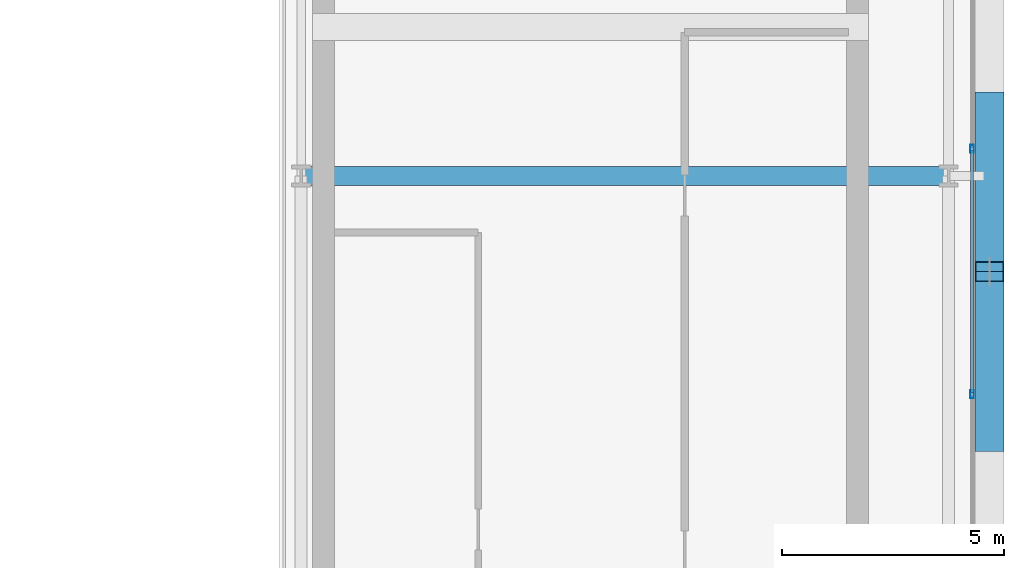
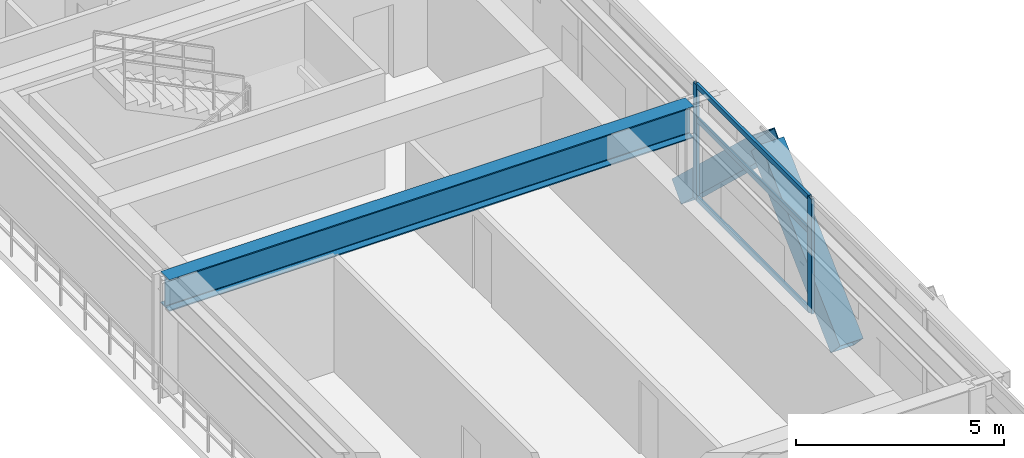
# One storey, part 13 of 31: 7 members, 1 beam, 1 element without a shape of its own.
"""IFC4 building model written with IfcOpenShell, lengths in metres."""

from ifc_helpers import new_model, si_unit, direction, frame, origin, origin_2d, place, context, subcontext, project, spatial, hollow_rectangle, i_section, extrude, source, transform, mapped, material, layer, layer_set, material_profile, profile_set, type_object, element, aggregate, save


model = new_model("IFC4")

# Units and contexts
model_context = context("Model", 3, precision=1e-05, world=origin(), true_north=direction((0.0, 1.0)))
body_context = subcontext(model_context, "Body", "Model", "MODEL_VIEW")
ifc_project = project(units=[si_unit("LENGTHUNIT", "METRE"), si_unit("AREAUNIT", "SQUARE_METRE"), si_unit("VOLUMEUNIT", "CUBIC_METRE"), si_unit("PLANEANGLEUNIT", "RADIAN"), si_unit("MASSUNIT", "GRAM", prefix="KILO")], contexts=[model_context])

# Site, building, storey
site_placement = place(None, origin())
site = spatial("IfcSite", under=ifc_project, at=site_placement, CompositionType="ELEMENT")
building_placement = place(site_placement, origin())
building = spatial("IfcBuilding", under=site, at=building_placement, Name="Ocotamira Hotel", CompositionType="ELEMENT")
storey_placement = place(building_placement, frame((0.0, 0.0, 202.800048828125)))
storey = spatial("IfcBuildingStorey", under=building, at=storey_placement, Name="L51", CompositionType="ELEMENT", Elevation=202.800048828125)

# Beam
ifc_material_1 = material(Name="Steel ASTM A992 Grade 50", Category="steel")
ifc_material_profile_1 = material_profile(ifc_material_1, i_section(OverallWidth=0.41796875, OverallDepth=0.927001953125, WebThickness=0.019287109375, FlangeThickness=0.031982421875, FilletRadius=0.02392578125, at=origin_2d()), Name="W36X231")
ifc_profile_set_1 = profile_set([ifc_material_profile_1], Name="Steel ASTM A992 Grade 50")
beam_type = type_object("IfcBeamType", Name="BM-GIRD-W36X231", PredefinedType="BEAM", material=ifc_profile_set_1)
shared_shape_1 = source(origin(), body_context, "Body", "SweptSolid", [
    extrude(i_section(OverallWidth=0.41796875, OverallDepth=0.927001953125, WebThickness=0.019287109375, FlangeThickness=0.031982421875, FilletRadius=0.02392578125, at=origin_2d()), origin(), (0.0, 0.0, 1.0), 14.550048828125),
])
beam_placement = place(storey_placement, frame((40.5, 28.14990234375, 2.906494140625), z_axis=(1.0, 0.0, 0.0), x_axis=(0.0, 1.0, 0.0)))
element("IfcBeam", 1, at=beam_placement, inside=storey, type_object=beam_type, Name="L51 Girder Y28.15 X40.5-55.05", PredefinedType="BEAM", context=body_context, shape_type="MappedRepresentation", body=[
    mapped(shared_shape_1, transform((0.0, 0.0, 0.0), scale=1.0)),
])

# Members
ifc_material_2 = material(Name="Pale-metal coated steel ASTM A913 Grade 65", Category="steel")
ifc_material_profile_2 = material_profile(ifc_material_2, hollow_rectangle(XDim=0.64990234375, YDim=0.64990234375, WallThickness=0.02197265625, at=origin_2d()), Name="BOX650X650X22")
ifc_profile_set_2 = profile_set([ifc_material_profile_2], Name="Pale-metal coated steel ASTM A913 Grade 65")
member_type_1 = type_object("IfcMemberType", Name="MEM-EXO-BOX650", PredefinedType="BRACE", material=ifc_profile_set_2)
shared_shape_2 = source(origin(), body_context, "Body", "SweptSolid", [
    extrude(hollow_rectangle(XDim=0.64990234375, YDim=0.64990234375, WallThickness=0.02197265625, at=origin_2d()), origin(), (0.0, 0.0, 1.0), 5.24658203125),
])
for number, where, z_axis, x_axis, name in (
    (2, (55.969970703125, 22.183349609375, -0.47998046875), (0.0, 0.72746596067, 0.686143772154), (-1.0, 0.0, 0.0), "L51 Exoskeleton Diagrid E1.1"),
    (3, (55.969970703125, 29.816650390625, -0.47998046875), (0.0, -0.72746596067, 0.686143772154), (1.0, 0.0, 0.0), "L51 Exoskeleton Diagrid E1.2"),
):
    element("IfcMember", number, at=place(storey_placement, frame(where, z_axis=z_axis, x_axis=x_axis)), inside=storey, type_object=member_type_1, Name=name, PredefinedType="BRACE", context=body_context, shape_type="MappedRepresentation", body=[
        mapped(shared_shape_2, transform((0.0, 0.0, 0.0), scale=1.0)),
    ])

# Curtain wall, members
ifc_material_3 = material(Name="Anodised pale-metal aluminium and solar glass", Category="aluminium")
ifc_layer = layer(ifc_material_3, 0.199951171875)
ifc_layer_set = layer_set([ifc_layer], Name="Anodised pale-metal aluminium and solar glass")
curtain_wall_type = type_object("IfcCurtainWallType", Name="CW-SYS4-Z3", PredefinedType="NOTDEFINED", material=ifc_layer_set)
curtain_wall_placement = place(storey_placement, origin())
curtain_wall = element("IfcCurtainWall", 4, at=curtain_wall_placement, inside=storey, type_object=curtain_wall_type, Name="L51 Curtain Wall CW-4 CW-L51-E", PredefinedType="NOTDEFINED")
ifc_material_4 = material(Name="Anodised pale-metal aluminium 6063-T6", Category="aluminium")
ifc_material_profile_3 = material_profile(ifc_material_4, hollow_rectangle(XDim=0.074951171875, YDim=0.14990234375, WallThickness=0.006103515625, at=origin_2d()), Name="HSS150X75X6")
ifc_profile_set_3 = profile_set([ifc_material_profile_3], Name="Anodised pale-metal aluminium 6063-T6")
member_type_2 = type_object("IfcMemberType", Name="CWT-150X75", PredefinedType="USERDEFINED", material=ifc_profile_set_3)
shared_shape_3 = source(origin(), body_context, "Body", "SweptSolid", [
    extrude(hollow_rectangle(XDim=0.074951171875, YDim=0.14990234375, WallThickness=0.006103515625, at=origin_2d()), origin(), (0.0, 0.0, 1.0), 5.43994140625),
])
member_1_placement = place(storey_placement, frame((55.580078125, 23.280029296875, 0.037353515625), z_axis=(0.0, 1.0, 0.0), x_axis=(-1.0, 0.0, 0.0)))
member_1 = element("IfcMember", 5, at=member_1_placement, type_object=member_type_2, Name="CW-4 transom 3.1", ObjectType="TRANSOM", PredefinedType="USERDEFINED", context=body_context, shape_type="MappedRepresentation", body=[
    mapped(shared_shape_3, transform((0.0, 0.0, 0.0), scale=1.0)),
])
member_2_placement = place(storey_placement, frame((55.580078125, 23.280029296875, 2.349853515625), z_axis=(0.0, 1.0, 0.0), x_axis=(-1.0, 0.0, 0.0)))
member_2 = element("IfcMember", 6, at=member_2_placement, type_object=member_type_2, Name="CW-4 transom 3.2", ObjectType="TRANSOM", PredefinedType="USERDEFINED", context=body_context, shape_type="MappedRepresentation", body=[
    mapped(shared_shape_3, transform((0.0, 0.0, 0.0), scale=1.0)),
])
member_3_placement = place(storey_placement, frame((55.580078125, 23.280029296875, 3.33251953125), z_axis=(0.0, 1.0, 0.0), x_axis=(-1.0, 0.0, 0.0)))
member_3 = element("IfcMember", 7, at=member_3_placement, type_object=member_type_2, Name="CW-4 transom 3.3", ObjectType="TRANSOM", PredefinedType="USERDEFINED", context=body_context, shape_type="MappedRepresentation", body=[
    mapped(shared_shape_3, transform((0.0, 0.0, 0.0), scale=1.0)),
])
ifc_material_profile_4 = material_profile(ifc_material_4, hollow_rectangle(XDim=0.080078125, YDim=0.179931640625, WallThickness=0.006103515625, at=origin_2d()), Name="HSS180X80X6")
ifc_profile_set_4 = profile_set([ifc_material_profile_4], Name="Anodised pale-metal aluminium 6063-T6")
member_type_3 = type_object("IfcMemberType", Name="CWM-180X75", PredefinedType="MULLION", material=ifc_profile_set_4)
shared_shape_4 = source(origin(), body_context, "Body", "SweptSolid", [
    extrude(hollow_rectangle(XDim=0.080078125, YDim=0.179931640625, WallThickness=0.006103515625, at=origin_2d()), origin(), (0.0, 0.0, 1.0), 3.369873046875),
])
member_4_placement = place(storey_placement, frame((55.580078125, 23.239990234375, 0.0), z_axis=(0.0, 0.0, 1.0), x_axis=(-1.0, 0.0, 0.0)))
member_4 = element("IfcMember", 8, at=member_4_placement, type_object=member_type_3, Name="CW-4 mullion 3", PredefinedType="MULLION", context=body_context, shape_type="MappedRepresentation", body=[
    mapped(shared_shape_4, transform((0.0, 0.0, 0.0), scale=1.0)),
])
member_5_placement = place(storey_placement, frame((55.580078125, 28.760009765625, 0.0), z_axis=(0.0, 0.0, 1.0), x_axis=(-1.0, 0.0, 0.0)))
member_5 = element("IfcMember", 9, at=member_5_placement, type_object=member_type_3, Name="CW-4 mullion 4", PredefinedType="MULLION", context=body_context, shape_type="MappedRepresentation", body=[
    mapped(shared_shape_4, transform((0.0, 0.0, 0.0), scale=1.0)),
])
aggregate(curtain_wall, [member_4, member_5, member_1, member_2, member_3])

save(model, "model.ifc")
